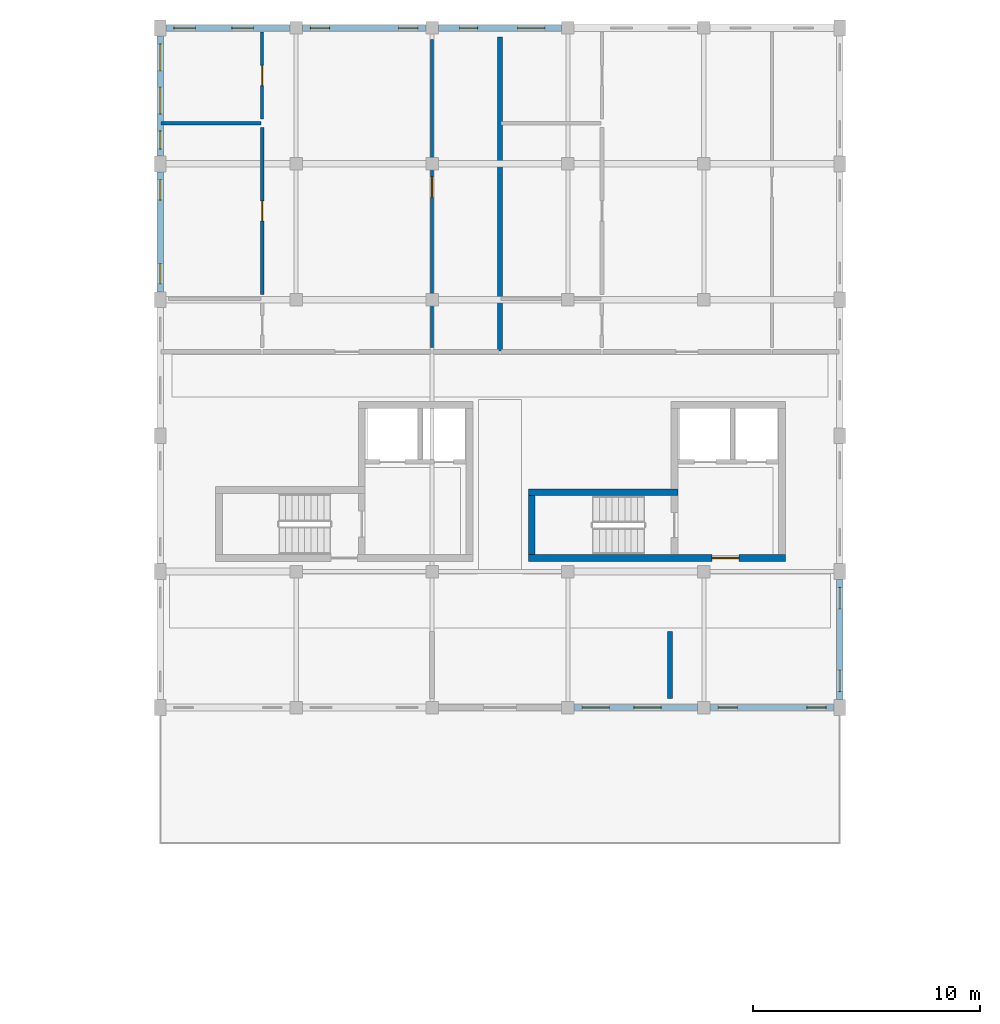
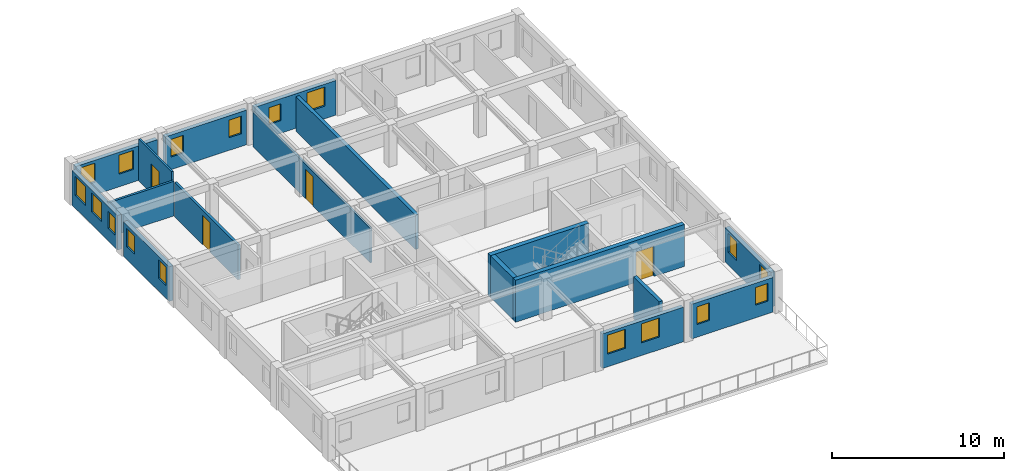
# One storey, part 16 of 28: 17 walls, 17 windows, 4 doors, 21 openings.
"""IFC4 building model written with IfcOpenShell, lengths in metres."""

from ifc_helpers import new_model, si_unit, direction, frame, frame_2d, origin, place, context, subcontext, project, spatial, rectangle, extrude, material, layer, layer_set, type_object, element, fill, save


model = new_model("IFC4")

# Units and contexts
model_context = context("Model", 3, precision=1e-05, world=origin(), true_north=direction((0.0, 1.0)))
body_context = subcontext(model_context, "Body", "Model", "MODEL_VIEW")
ifc_project = project(units=[si_unit("LENGTHUNIT", "METRE"), si_unit("AREAUNIT", "SQUARE_METRE"), si_unit("VOLUMEUNIT", "CUBIC_METRE"), si_unit("PLANEANGLEUNIT", "RADIAN"), si_unit("MASSUNIT", "GRAM", prefix="KILO"), si_unit("POWERUNIT", "WATT"), si_unit("THERMODYNAMICTEMPERATUREUNIT", "KELVIN")], contexts=[model_context])

# Site, building, storey
site_placement = place(None, origin())
site = spatial("IfcSite", under=ifc_project, at=site_placement, CompositionType="ELEMENT")
building_placement = place(site_placement, origin())
building = spatial("IfcBuilding", under=site, at=building_placement, Name="Ruvembo Vaulted Housing Court", CompositionType="ELEMENT")
storey_placement = place(building_placement, frame((0.0, 0.0, 23.699951171875)))
storey = spatial("IfcBuildingStorey", under=building, at=storey_placement, Name="L07", CompositionType="ELEMENT", Elevation=23.699951171875)

# Wall, opening, door
ifc_material_1 = material(Name="Concrete C35/45", Category="concrete")
ifc_layer_1 = layer(ifc_material_1, 0.300048828125, Name="Concrete C35/45")
ifc_layer_set_1 = layer_set([ifc_layer_1], Name="Concrete C35/45")
wall_type_1 = type_object("IfcWallType", Name="WL-CORE-300", PredefinedType="SHEAR", material=ifc_layer_set_1)
wall_1_placement = place(storey_placement, frame((64.25, 90.60009765625, 0.0), z_axis=(0.0, 0.0, 1.0), x_axis=(1.0, 0.0, 0.0)))
wall_1 = element("IfcWall", 1, at=wall_1_placement, inside=storey, type_object=wall_type_1, Name="Core B2 L07 South Shear Wall", PredefinedType="SHEAR", context=body_context, shape_type="SweptSolid", body=[
    extrude(rectangle(XDim=11.35009765625, YDim=0.300048828125, at=frame_2d((5.675048828125, 0.0))), origin(), (0.0, 0.0, 1.0), 2.97509765625),
])
opening_1_placement = place(wall_1_placement, frame((8.10009765625, 0.0, 0.0)))
opening_1 = element("IfcOpeningElement", 2, at=opening_1_placement, cuts=wall_1, Name="Opening LD3", PredefinedType="OPENING", context=body_context, shape_type="SweptSolid", body=[
    extrude(rectangle(XDim=1.199951171875, YDim=2.14990234375, at=frame_2d((0.60009765625, 1.074951171875))), frame((0.0, 0.159912109375, 0.0), z_axis=(0.0, -1.0, 0.0), x_axis=(1.0, 0.0, 0.0)), (0.0, 0.0, 1.0), 0.320068359375),
])
ifc_material_2 = material(Name="Galvanised Painted Steel", Category="steel")
door_type_1 = type_object("IfcDoorType", Name="DR-LOB-1200x2150", OperationType="NOTDEFINED", PredefinedType="DOOR", material=ifc_material_2)
door_1_placement = place(opening_1_placement, origin())
door_1 = element("IfcDoor", 3, at=door_1_placement, inside=storey, type_object=door_type_1, Name="Core B2 L07 Lobby Fire Door", OperationType="SINGLE_SWING_RIGHT", OverallHeight=2.14990234375, OverallWidth=1.199951171875, PredefinedType="DOOR", context=body_context, shape_type="SweptSolid", body=[
    extrude(rectangle(XDim=1.199951171875, YDim=2.14990234375, at=frame_2d((0.60009765625, 1.074951171875))), frame((0.0, 0.02490234375, 0.0), z_axis=(0.0, -1.0, 0.0), x_axis=(1.0, 0.0, 0.0)), (0.0, 0.0, 1.0), 0.050048828125),
])
fill(opening_1, door_1)

# Walls
wall_2_placement = place(storey_placement, frame((70.85009765625, 93.5, 0.0), z_axis=(0.0, 0.0, 1.0), x_axis=(-1.0, 0.0, 0.0)))
element("IfcWall", 4, at=wall_2_placement, inside=storey, type_object=wall_type_1, Name="Core B2 L07 Stair North Shear Wall", PredefinedType="SHEAR", context=body_context, shape_type="SweptSolid", body=[
    extrude(rectangle(XDim=6.60009765625, YDim=0.300048828125, at=frame_2d((3.300048828125, 0.0))), origin(), (0.0, 0.0, 1.0), 2.97509765625),
])
wall_3_placement = place(storey_placement, frame((64.39990234375, 93.35009765625, 0.0), z_axis=(0.0, 0.0, 1.0), x_axis=(0.0, -1.0, 0.0)))
element("IfcWall", 5, at=wall_3_placement, inside=storey, type_object=wall_type_1, Name="Core B2 L07 Stair West Shear Wall", PredefinedType="SHEAR", context=body_context, shape_type="SweptSolid", body=[
    extrude(rectangle(XDim=2.60009765625, YDim=0.300048828125, at=frame_2d((1.300048828125, 0.0))), origin(), (0.0, 0.0, 1.0), 2.97509765625),
])
ifc_material_3 = material(Name="Acoustic Masonry Demising 230", Category="masonry")
ifc_layer_2 = layer(ifc_material_3, 0.22998046875, Name="Acoustic Masonry Demising 230")
ifc_layer_set_2 = layer_set([ifc_layer_2], Name="Acoustic Masonry Demising 230")
wall_type_2 = type_object("IfcWallType", Name="WL-DEM-230", PredefinedType="SOLIDWALL", material=ifc_layer_set_2)
wall_4_placement = place(storey_placement, frame((70.5, 84.389892578125, 0.0), z_axis=(0.0, 0.0, 1.0), x_axis=(0.0, 1.0, 0.0)))
element("IfcWall", 6, at=wall_4_placement, inside=storey, type_object=wall_type_2, Name="L07 Demising B-L07-S2 WL-INT-L07-01909", PredefinedType="SOLIDWALL", context=body_context, shape_type="SweptSolid", body=[
    extrude(rectangle(XDim=2.97021484375, YDim=0.22998046875, at=frame_2d((1.485107421875, 0.0))), origin(), (0.0, 0.0, 1.0), 2.97509765625),
])
wall_5_placement = place(storey_placement, frame((63.0, 99.739990234375, 0.0), z_axis=(0.0, 0.0, 1.0), x_axis=(0.0, 1.0, 0.0)))
element("IfcWall", 7, at=wall_5_placement, inside=storey, type_object=wall_type_2, Name="L07 Demising B-L07-N1 WL-INT-L07-01910", PredefinedType="SOLIDWALL", context=body_context, shape_type="SweptSolid", body=[
    extrude(rectangle(XDim=13.8701171875, YDim=0.22998046875, at=frame_2d((6.93505859375, 0.0))), origin(), (0.0, 0.0, 1.0), 2.45703125),
])

# Wall, openings, windows
ifc_material_4 = material(Name="Rendered Masonry 270", Category="masonry")
ifc_layer_3 = layer(ifc_material_4, 0.27001953125, Name="Rendered Masonry 270")
ifc_layer_set_3 = layer_set([ifc_layer_3], Name="Rendered Masonry 270")
wall_type_3 = type_object("IfcWallType", Name="WL-EXT-270", PredefinedType="STANDARD", material=ifc_layer_set_3)
wall_6_placement = place(storey_placement, frame((66.27490234375, 84.0, 0.0), z_axis=(0.0, 0.0, 1.0), x_axis=(1.0, 0.0, 0.0)))
wall_6 = element("IfcWall", 8, at=wall_6_placement, inside=storey, type_object=wall_type_3, Name="Block B L07 Exterior Wall COURTYARD #4", PredefinedType="STANDARD", context=body_context, shape_type="SweptSolid", body=[
    extrude(rectangle(XDim=5.4501953125, YDim=0.27001953125, at=frame_2d((2.72509765625, 0.0))), origin(), (0.0, 0.0, 1.0), 2.45703125),
])
opening_2_placement = place(wall_6_placement, frame((0.35009765625, 0.0, 0.89990234375)))
opening_2 = element("IfcOpeningElement", 9, at=opening_2_placement, cuts=wall_6, Name="Opening W12", PredefinedType="OPENING", context=body_context, shape_type="SweptSolid", body=[
    extrude(rectangle(XDim=1.199951171875, YDim=1.35009765625, at=frame_2d((0.60009765625, 0.675048828125))), frame((0.0, 0.14501953125, 0.0), z_axis=(0.0, -1.0, 0.0), x_axis=(1.0, 0.0, 0.0)), (0.0, 0.0, 1.0), 0.2900390625),
])
opening_3_placement = place(wall_6_placement, frame((2.635009765625, 0.0, 0.89990234375)))
opening_3 = element("IfcOpeningElement", 10, at=opening_3_placement, cuts=wall_6, Name="Opening W12", PredefinedType="OPENING", context=body_context, shape_type="SweptSolid", body=[
    extrude(rectangle(XDim=1.199951171875, YDim=1.35009765625, at=frame_2d((0.60009765625, 0.675048828125))), frame((0.0, 0.14501953125, 0.0), z_axis=(0.0, -1.0, 0.0), x_axis=(1.0, 0.0, 0.0)), (0.0, 0.0, 1.0), 0.2900390625),
])
ifc_material_5 = material(Name="Double Solar-Control Glazing in Aluminium Frame", Category="aluminium")
window_type_1 = type_object("IfcWindowType", Name="WIN-1200x1350", PartitioningType="SINGLE_PANEL", PredefinedType="WINDOW", material=ifc_material_5)
window_1_placement = place(opening_2_placement, origin())
window_1 = element("IfcWindow", 11, at=window_1_placement, inside=storey, type_object=window_type_1, Name="Block B L07 Window #911", OverallHeight=1.35009765625, OverallWidth=1.199951171875, PartitioningType="SINGLE_PANEL", PredefinedType="WINDOW", context=body_context, shape_type="SweptSolid", body=[
    extrude(rectangle(XDim=1.199951171875, YDim=1.35009765625, at=frame_2d((0.60009765625, 0.675048828125))), frame((0.0, 0.030029296875, 0.0), z_axis=(0.0, -1.0, 0.0), x_axis=(1.0, 0.0, 0.0)), (0.0, 0.0, 1.0), 0.06005859375),
])
fill(opening_2, window_1)
window_2_placement = place(opening_3_placement, origin())
window_2 = element("IfcWindow", 12, at=window_2_placement, inside=storey, type_object=window_type_1, Name="Block B L07 Window #912", OverallHeight=1.35009765625, OverallWidth=1.199951171875, PartitioningType="SINGLE_PANEL", PredefinedType="WINDOW", context=body_context, shape_type="SweptSolid", body=[
    extrude(rectangle(XDim=1.199951171875, YDim=1.35009765625, at=frame_2d((0.60009765625, 0.675048828125))), frame((0.0, 0.030029296875, 0.0), z_axis=(0.0, -1.0, 0.0), x_axis=(1.0, 0.0, 0.0)), (0.0, 0.0, 1.0), 0.06005859375),
])
fill(opening_3, window_2)

wall_7_placement = place(storey_placement, frame((72.27490234375, 84.0, 0.0), z_axis=(0.0, 0.0, 1.0), x_axis=(1.0, 0.0, 0.0)))
wall_7 = element("IfcWall", 13, at=wall_7_placement, inside=storey, type_object=wall_type_3, Name="Block B L07 Exterior Wall COURTYARD #5", PredefinedType="STANDARD", context=body_context, shape_type="SweptSolid", body=[
    extrude(rectangle(XDim=5.47509765625, YDim=0.27001953125, at=frame_2d((2.737548828125, 0.0))), origin(), (0.0, 0.0, 1.0), 2.45703125),
])
opening_4_placement = place(wall_7_placement, frame((0.35009765625, 0.0, 0.89990234375)))
opening_4 = element("IfcOpeningElement", 14, at=opening_4_placement, cuts=wall_7, Name="Opening W03", PredefinedType="OPENING", context=body_context, shape_type="SweptSolid", body=[
    extrude(rectangle(XDim=0.85009765625, YDim=1.25, at=frame_2d((0.425048828125, 0.625))), frame((0.0, 0.14501953125, 0.0), z_axis=(0.0, -1.0, 0.0), x_axis=(1.0, 0.0, 0.0)), (0.0, 0.0, 1.0), 0.2900390625),
])
opening_5_placement = place(wall_7_placement, frame((4.27490234375, 0.0, 0.89990234375)))
opening_5 = element("IfcOpeningElement", 15, at=opening_5_placement, cuts=wall_7, Name="Opening W03", PredefinedType="OPENING", context=body_context, shape_type="SweptSolid", body=[
    extrude(rectangle(XDim=0.85009765625, YDim=1.25, at=frame_2d((0.425048828125, 0.625))), frame((0.0, 0.14501953125, 0.0), z_axis=(0.0, -1.0, 0.0), x_axis=(1.0, 0.0, 0.0)), (0.0, 0.0, 1.0), 0.2900390625),
])
window_type_2 = type_object("IfcWindowType", Name="WIN-0850x1250", PartitioningType="SINGLE_PANEL", PredefinedType="WINDOW", material=ifc_material_5)
window_3_placement = place(opening_4_placement, origin())
window_3 = element("IfcWindow", 16, at=window_3_placement, inside=storey, type_object=window_type_2, Name="Block B L07 Window #913", OverallHeight=1.25, OverallWidth=0.85009765625, PartitioningType="SINGLE_PANEL", PredefinedType="WINDOW", context=body_context, shape_type="SweptSolid", body=[
    extrude(rectangle(XDim=0.85009765625, YDim=1.25, at=frame_2d((0.425048828125, 0.625))), frame((0.0, 0.030029296875, 0.0), z_axis=(0.0, -1.0, 0.0), x_axis=(1.0, 0.0, 0.0)), (0.0, 0.0, 1.0), 0.06005859375),
])
fill(opening_4, window_3)
window_4_placement = place(opening_5_placement, origin())
window_4 = element("IfcWindow", 17, at=window_4_placement, inside=storey, type_object=window_type_2, Name="Block B L07 Window #914", OverallHeight=1.25, OverallWidth=0.85009765625, PartitioningType="SINGLE_PANEL", PredefinedType="WINDOW", context=body_context, shape_type="SweptSolid", body=[
    extrude(rectangle(XDim=0.85009765625, YDim=1.25, at=frame_2d((0.425048828125, 0.625))), frame((0.0, 0.030029296875, 0.0), z_axis=(0.0, -1.0, 0.0), x_axis=(1.0, 0.0, 0.0)), (0.0, 0.0, 1.0), 0.06005859375),
])
fill(opening_5, window_4)

wall_8_placement = place(storey_placement, frame((78.0, 84.35009765625, 0.0), z_axis=(0.0, 0.0, 1.0), x_axis=(0.0, 1.0, 0.0)))
wall_8 = element("IfcWall", 18, at=wall_8_placement, inside=storey, type_object=wall_type_3, Name="Block B L07 Exterior Wall EAST #1", PredefinedType="STANDARD", context=body_context, shape_type="SweptSolid", body=[
    extrude(rectangle(XDim=5.2998046875, YDim=0.27001953125, at=frame_2d((2.64990234375, 0.0))), origin(), (0.0, 0.0, 1.0), 2.45703125),
])
opening_6_placement = place(wall_8_placement, frame((0.35009765625, 0.0, 0.89990234375)))
opening_6 = element("IfcOpeningElement", 19, at=opening_6_placement, cuts=wall_8, Name="Opening W07", PredefinedType="OPENING", context=body_context, shape_type="SweptSolid", body=[
    extrude(rectangle(XDim=0.949951171875, YDim=1.35009765625, at=frame_2d((0.47509765625, 0.675048828125))), frame((0.0, 0.14501953125, 0.0), z_axis=(0.0, -1.0, 0.0), x_axis=(1.0, 0.0, 0.0)), (0.0, 0.0, 1.0), 0.2900390625),
])
opening_7_placement = place(wall_8_placement, frame((4.0, 0.0, 0.89990234375)))
opening_7 = element("IfcOpeningElement", 20, at=opening_7_placement, cuts=wall_8, Name="Opening W07", PredefinedType="OPENING", context=body_context, shape_type="SweptSolid", body=[
    extrude(rectangle(XDim=0.949951171875, YDim=1.35009765625, at=frame_2d((0.47509765625, 0.675048828125))), frame((0.0, 0.14501953125, 0.0), z_axis=(0.0, -1.0, 0.0), x_axis=(1.0, 0.0, 0.0)), (0.0, 0.0, 1.0), 0.2900390625),
])
window_type_3 = type_object("IfcWindowType", Name="WIN-0950x1350", PartitioningType="SINGLE_PANEL", PredefinedType="WINDOW", material=ifc_material_5)
window_5_placement = place(opening_6_placement, origin())
window_5 = element("IfcWindow", 21, at=window_5_placement, inside=storey, type_object=window_type_3, Name="Block B L07 Window #915", OverallHeight=1.35009765625, OverallWidth=0.949951171875, PartitioningType="SINGLE_PANEL", PredefinedType="WINDOW", context=body_context, shape_type="SweptSolid", body=[
    extrude(rectangle(XDim=0.949951171875, YDim=1.35009765625, at=frame_2d((0.47509765625, 0.675048828125))), frame((0.0, 0.030029296875, 0.0), z_axis=(0.0, -1.0, 0.0), x_axis=(1.0, 0.0, 0.0)), (0.0, 0.0, 1.0), 0.06005859375),
])
fill(opening_6, window_5)
window_6_placement = place(opening_7_placement, origin())
window_6 = element("IfcWindow", 22, at=window_6_placement, inside=storey, type_object=window_type_3, Name="Block B L07 Window #916", OverallHeight=1.35009765625, OverallWidth=0.949951171875, PartitioningType="SINGLE_PANEL", PredefinedType="WINDOW", context=body_context, shape_type="SweptSolid", body=[
    extrude(rectangle(XDim=0.949951171875, YDim=1.35009765625, at=frame_2d((0.47509765625, 0.675048828125))), frame((0.0, 0.030029296875, 0.0), z_axis=(0.0, -1.0, 0.0), x_axis=(1.0, 0.0, 0.0)), (0.0, 0.0, 1.0), 0.06005859375),
])
fill(opening_7, window_6)

wall_9_placement = place(storey_placement, frame((65.72509765625, 114.0, 0.0), z_axis=(0.0, 0.0, 1.0), x_axis=(-1.0, 0.0, 0.0)))
wall_9 = element("IfcWall", 23, at=wall_9_placement, inside=storey, type_object=wall_type_3, Name="Block B L07 Exterior Wall STREET #3", PredefinedType="STANDARD", context=body_context, shape_type="SweptSolid", body=[
    extrude(rectangle(XDim=5.4501953125, YDim=0.27001953125, at=frame_2d((2.72509765625, 0.0))), origin(), (0.0, 0.0, 1.0), 2.45703125),
])
opening_8_placement = place(wall_9_placement, frame((0.742431640625, 0.0, 0.89990234375)))
opening_8 = element("IfcOpeningElement", 24, at=opening_8_placement, cuts=wall_9, Name="Opening W12", PredefinedType="OPENING", context=body_context, shape_type="SweptSolid", body=[
    extrude(rectangle(XDim=1.199951171875, YDim=1.35009765625, at=frame_2d((0.60009765625, 0.675048828125))), frame((0.0, 0.14501953125, 0.0), z_axis=(0.0, -1.0, 0.0), x_axis=(1.0, 0.0, 0.0)), (0.0, 0.0, 1.0), 0.2900390625),
])
opening_9_placement = place(wall_9_placement, frame((3.70751953125, 0.0, 0.89990234375)))
opening_9 = element("IfcOpeningElement", 25, at=opening_9_placement, cuts=wall_9, Name="Opening W02", PredefinedType="OPENING", context=body_context, shape_type="SweptSolid", body=[
    extrude(rectangle(XDim=0.800048828125, YDim=1.199951171875, at=frame_2d((0.39990234375, 0.60009765625))), frame((0.0, 0.14501953125, 0.0), z_axis=(0.0, -1.0, 0.0), x_axis=(1.0, 0.0, 0.0)), (0.0, 0.0, 1.0), 0.2900390625),
])
window_type_4 = type_object("IfcWindowType", Name="WIN-0800x1200", PartitioningType="SINGLE_PANEL", PredefinedType="WINDOW", material=ifc_material_5)
window_7_placement = place(opening_9_placement, origin())
window_7 = element("IfcWindow", 26, at=window_7_placement, inside=storey, type_object=window_type_4, Name="Block B L07 Window #930", OverallHeight=1.199951171875, OverallWidth=0.800048828125, PartitioningType="SINGLE_PANEL", PredefinedType="WINDOW", context=body_context, shape_type="SweptSolid", body=[
    extrude(rectangle(XDim=0.800048828125, YDim=1.199951171875, at=frame_2d((0.39990234375, 0.60009765625))), frame((0.0, 0.030029296875, 0.0), z_axis=(0.0, -1.0, 0.0), x_axis=(1.0, 0.0, 0.0)), (0.0, 0.0, 1.0), 0.06005859375),
])
fill(opening_9, window_7)
window_8_placement = place(opening_8_placement, origin())
window_8 = element("IfcWindow", 27, at=window_8_placement, inside=storey, type_object=window_type_1, Name="Block B L07 Window #929", OverallHeight=1.35009765625, OverallWidth=1.199951171875, PartitioningType="SINGLE_PANEL", PredefinedType="WINDOW", context=body_context, shape_type="SweptSolid", body=[
    extrude(rectangle(XDim=1.199951171875, YDim=1.35009765625, at=frame_2d((0.60009765625, 0.675048828125))), frame((0.0, 0.030029296875, 0.0), z_axis=(0.0, -1.0, 0.0), x_axis=(1.0, 0.0, 0.0)), (0.0, 0.0, 1.0), 0.06005859375),
])
fill(opening_8, window_8)

wall_10_placement = place(storey_placement, frame((59.72509765625, 114.0, 0.0), z_axis=(0.0, 0.0, 1.0), x_axis=(-1.0, 0.0, 0.0)))
wall_10 = element("IfcWall", 28, at=wall_10_placement, inside=storey, type_object=wall_type_3, Name="Block B L07 Exterior Wall STREET #4", PredefinedType="STANDARD", context=body_context, shape_type="SweptSolid", body=[
    extrude(rectangle(XDim=5.4501953125, YDim=0.27001953125, at=frame_2d((2.72509765625, 0.0))), origin(), (0.0, 0.0, 1.0), 2.45703125),
])
opening_10_placement = place(wall_10_placement, frame((0.35009765625, 0.0, 0.89990234375)))
opening_10 = element("IfcOpeningElement", 29, at=opening_10_placement, cuts=wall_10, Name="Opening W03", PredefinedType="OPENING", context=body_context, shape_type="SweptSolid", body=[
    extrude(rectangle(XDim=0.85009765625, YDim=1.25, at=frame_2d((0.425048828125, 0.625))), frame((0.0, 0.14501953125, 0.0), z_axis=(0.0, -1.0, 0.0), x_axis=(1.0, 0.0, 0.0)), (0.0, 0.0, 1.0), 0.2900390625),
])
opening_11_placement = place(wall_10_placement, frame((4.25, 0.0, 0.89990234375)))
opening_11 = element("IfcOpeningElement", 30, at=opening_11_placement, cuts=wall_10, Name="Opening W03", PredefinedType="OPENING", context=body_context, shape_type="SweptSolid", body=[
    extrude(rectangle(XDim=0.85009765625, YDim=1.25, at=frame_2d((0.425048828125, 0.625))), frame((0.0, 0.14501953125, 0.0), z_axis=(0.0, -1.0, 0.0), x_axis=(1.0, 0.0, 0.0)), (0.0, 0.0, 1.0), 0.2900390625),
])
window_9_placement = place(opening_10_placement, origin())
window_9 = element("IfcWindow", 31, at=window_9_placement, inside=storey, type_object=window_type_2, Name="Block B L07 Window #931", OverallHeight=1.25, OverallWidth=0.85009765625, PartitioningType="SINGLE_PANEL", PredefinedType="WINDOW", context=body_context, shape_type="SweptSolid", body=[
    extrude(rectangle(XDim=0.85009765625, YDim=1.25, at=frame_2d((0.425048828125, 0.625))), frame((0.0, 0.030029296875, 0.0), z_axis=(0.0, -1.0, 0.0), x_axis=(1.0, 0.0, 0.0)), (0.0, 0.0, 1.0), 0.06005859375),
])
fill(opening_10, window_9)
window_10_placement = place(opening_11_placement, origin())
window_10 = element("IfcWindow", 32, at=window_10_placement, inside=storey, type_object=window_type_2, Name="Block B L07 Window #932", OverallHeight=1.25, OverallWidth=0.85009765625, PartitioningType="SINGLE_PANEL", PredefinedType="WINDOW", context=body_context, shape_type="SweptSolid", body=[
    extrude(rectangle(XDim=0.85009765625, YDim=1.25, at=frame_2d((0.425048828125, 0.625))), frame((0.0, 0.030029296875, 0.0), z_axis=(0.0, -1.0, 0.0), x_axis=(1.0, 0.0, 0.0)), (0.0, 0.0, 1.0), 0.06005859375),
])
fill(opening_11, window_10)

wall_11_placement = place(storey_placement, frame((53.72509765625, 114.0, 0.0), z_axis=(0.0, 0.0, 1.0), x_axis=(-1.0, 0.0, 0.0)))
wall_11 = element("IfcWall", 33, at=wall_11_placement, inside=storey, type_object=wall_type_3, Name="Block B L07 Exterior Wall STREET #5", PredefinedType="STANDARD", context=body_context, shape_type="SweptSolid", body=[
    extrude(rectangle(XDim=5.47509765625, YDim=0.27001953125, at=frame_2d((2.737548828125, 0.0))), origin(), (0.0, 0.0, 1.0), 2.45703125),
])
opening_12_placement = place(wall_11_placement, frame((1.614990234375, 0.0, 0.89990234375)))
opening_12 = element("IfcOpeningElement", 34, at=opening_12_placement, cuts=wall_11, Name="Opening W07", PredefinedType="OPENING", context=body_context, shape_type="SweptSolid", body=[
    extrude(rectangle(XDim=0.949951171875, YDim=1.35009765625, at=frame_2d((0.47509765625, 0.675048828125))), frame((0.0, 0.14501953125, 0.0), z_axis=(0.0, -1.0, 0.0), x_axis=(1.0, 0.0, 0.0)), (0.0, 0.0, 1.0), 0.2900390625),
])
opening_13_placement = place(wall_11_placement, frame((4.175048828125, 0.0, 0.89990234375)))
opening_13 = element("IfcOpeningElement", 35, at=opening_13_placement, cuts=wall_11, Name="Opening W07", PredefinedType="OPENING", context=body_context, shape_type="SweptSolid", body=[
    extrude(rectangle(XDim=0.949951171875, YDim=1.35009765625, at=frame_2d((0.47509765625, 0.675048828125))), frame((0.0, 0.14501953125, 0.0), z_axis=(0.0, -1.0, 0.0), x_axis=(1.0, 0.0, 0.0)), (0.0, 0.0, 1.0), 0.2900390625),
])
window_11_placement = place(opening_12_placement, origin())
window_11 = element("IfcWindow", 36, at=window_11_placement, inside=storey, type_object=window_type_3, Name="Block B L07 Window #933", OverallHeight=1.35009765625, OverallWidth=0.949951171875, PartitioningType="SINGLE_PANEL", PredefinedType="WINDOW", context=body_context, shape_type="SweptSolid", body=[
    extrude(rectangle(XDim=0.949951171875, YDim=1.35009765625, at=frame_2d((0.47509765625, 0.675048828125))), frame((0.0, 0.030029296875, 0.0), z_axis=(0.0, -1.0, 0.0), x_axis=(1.0, 0.0, 0.0)), (0.0, 0.0, 1.0), 0.06005859375),
])
fill(opening_12, window_11)
window_12_placement = place(opening_13_placement, origin())
window_12 = element("IfcWindow", 37, at=window_12_placement, inside=storey, type_object=window_type_3, Name="Block B L07 Window #934", OverallHeight=1.35009765625, OverallWidth=0.949951171875, PartitioningType="SINGLE_PANEL", PredefinedType="WINDOW", context=body_context, shape_type="SweptSolid", body=[
    extrude(rectangle(XDim=0.949951171875, YDim=1.35009765625, at=frame_2d((0.47509765625, 0.675048828125))), frame((0.0, 0.030029296875, 0.0), z_axis=(0.0, -1.0, 0.0), x_axis=(1.0, 0.0, 0.0)), (0.0, 0.0, 1.0), 0.06005859375),
])
fill(opening_13, window_12)

wall_12_placement = place(storey_placement, frame((48.0, 113.64990234375, 0.0), z_axis=(0.0, 0.0, 1.0), x_axis=(0.0, -1.0, 0.0)))
wall_12 = element("IfcWall", 38, at=wall_12_placement, inside=storey, type_object=wall_type_3, Name="Block B L07 Exterior Wall WEST #1", PredefinedType="STANDARD", context=body_context, shape_type="SweptSolid", body=[
    extrude(rectangle(XDim=5.2998046875, YDim=0.27001953125, at=frame_2d((2.64990234375, 0.0))), origin(), (0.0, 0.0, 1.0), 2.45703125),
])
opening_14_placement = place(wall_12_placement, frame((0.35009765625, 0.0, 0.89990234375)))
opening_14 = element("IfcOpeningElement", 39, at=opening_14_placement, cuts=wall_12, Name="Opening W12", PredefinedType="OPENING", context=body_context, shape_type="SweptSolid", body=[
    extrude(rectangle(XDim=1.199951171875, YDim=1.35009765625, at=frame_2d((0.60009765625, 0.675048828125))), frame((0.0, 0.14501953125, 0.0), z_axis=(0.0, -1.0, 0.0), x_axis=(1.0, 0.0, 0.0)), (0.0, 0.0, 1.0), 0.2900390625),
])
opening_15_placement = place(wall_12_placement, frame((2.260009765625, 0.0, 0.89990234375)))
opening_15 = element("IfcOpeningElement", 40, at=opening_15_placement, cuts=wall_12, Name="Opening W12", PredefinedType="OPENING", context=body_context, shape_type="SweptSolid", body=[
    extrude(rectangle(XDim=1.199951171875, YDim=1.35009765625, at=frame_2d((0.60009765625, 0.675048828125))), frame((0.0, 0.14501953125, 0.0), z_axis=(0.0, -1.0, 0.0), x_axis=(1.0, 0.0, 0.0)), (0.0, 0.0, 1.0), 0.2900390625),
])
opening_16_placement = place(wall_12_placement, frame((4.195068359375, 0.0, 0.89990234375)))
opening_16 = element("IfcOpeningElement", 41, at=opening_16_placement, cuts=wall_12, Name="Opening W02", PredefinedType="OPENING", context=body_context, shape_type="SweptSolid", body=[
    extrude(rectangle(XDim=0.800048828125, YDim=1.199951171875, at=frame_2d((0.39990234375, 0.60009765625))), frame((0.0, 0.14501953125, 0.0), z_axis=(0.0, -1.0, 0.0), x_axis=(1.0, 0.0, 0.0)), (0.0, 0.0, 1.0), 0.2900390625),
])
window_13_placement = place(opening_16_placement, origin())
window_13 = element("IfcWindow", 42, at=window_13_placement, inside=storey, type_object=window_type_4, Name="Block B L07 Window #937", OverallHeight=1.199951171875, OverallWidth=0.800048828125, PartitioningType="SINGLE_PANEL", PredefinedType="WINDOW", context=body_context, shape_type="SweptSolid", body=[
    extrude(rectangle(XDim=0.800048828125, YDim=1.199951171875, at=frame_2d((0.39990234375, 0.60009765625))), frame((0.0, 0.030029296875, 0.0), z_axis=(0.0, -1.0, 0.0), x_axis=(1.0, 0.0, 0.0)), (0.0, 0.0, 1.0), 0.06005859375),
])
fill(opening_16, window_13)
window_14_placement = place(opening_14_placement, origin())
window_14 = element("IfcWindow", 43, at=window_14_placement, inside=storey, type_object=window_type_1, Name="Block B L07 Window #935", OverallHeight=1.35009765625, OverallWidth=1.199951171875, PartitioningType="SINGLE_PANEL", PredefinedType="WINDOW", context=body_context, shape_type="SweptSolid", body=[
    extrude(rectangle(XDim=1.199951171875, YDim=1.35009765625, at=frame_2d((0.60009765625, 0.675048828125))), frame((0.0, 0.030029296875, 0.0), z_axis=(0.0, -1.0, 0.0), x_axis=(1.0, 0.0, 0.0)), (0.0, 0.0, 1.0), 0.06005859375),
])
fill(opening_14, window_14)
window_15_placement = place(opening_15_placement, origin())
window_15 = element("IfcWindow", 44, at=window_15_placement, inside=storey, type_object=window_type_1, Name="Block B L07 Window #936", OverallHeight=1.35009765625, OverallWidth=1.199951171875, PartitioningType="SINGLE_PANEL", PredefinedType="WINDOW", context=body_context, shape_type="SweptSolid", body=[
    extrude(rectangle(XDim=1.199951171875, YDim=1.35009765625, at=frame_2d((0.60009765625, 0.675048828125))), frame((0.0, 0.030029296875, 0.0), z_axis=(0.0, -1.0, 0.0), x_axis=(1.0, 0.0, 0.0)), (0.0, 0.0, 1.0), 0.06005859375),
])
fill(opening_15, window_15)

wall_13_placement = place(storey_placement, frame((48.0, 107.64990234375, 0.0), z_axis=(0.0, 0.0, 1.0), x_axis=(0.0, -1.0, 0.0)))
wall_13 = element("IfcWall", 45, at=wall_13_placement, inside=storey, type_object=wall_type_3, Name="Block B L07 Exterior Wall WEST #2", PredefinedType="STANDARD", context=body_context, shape_type="SweptSolid", body=[
    extrude(rectangle(XDim=5.2998046875, YDim=0.27001953125, at=frame_2d((2.64990234375, 0.0))), origin(), (0.0, 0.0, 1.0), 2.45703125),
])
opening_17_placement = place(wall_13_placement, frame((0.35009765625, 0.0, 0.89990234375)))
opening_17 = element("IfcOpeningElement", 46, at=opening_17_placement, cuts=wall_13, Name="Opening W04", PredefinedType="OPENING", context=body_context, shape_type="SweptSolid", body=[
    extrude(rectangle(XDim=0.89990234375, YDim=1.300048828125, at=frame_2d((0.449951171875, 0.64990234375))), frame((0.0, 0.14501953125, 0.0), z_axis=(0.0, -1.0, 0.0), x_axis=(1.0, 0.0, 0.0)), (0.0, 0.0, 1.0), 0.2900390625),
])
opening_18_placement = place(wall_13_placement, frame((4.050048828125, 0.0, 0.89990234375)))
opening_18 = element("IfcOpeningElement", 47, at=opening_18_placement, cuts=wall_13, Name="Opening W04", PredefinedType="OPENING", context=body_context, shape_type="SweptSolid", body=[
    extrude(rectangle(XDim=0.89990234375, YDim=1.300048828125, at=frame_2d((0.449951171875, 0.64990234375))), frame((0.0, 0.14501953125, 0.0), z_axis=(0.0, -1.0, 0.0), x_axis=(1.0, 0.0, 0.0)), (0.0, 0.0, 1.0), 0.2900390625),
])
window_type_5 = type_object("IfcWindowType", Name="WIN-0900x1300", PartitioningType="SINGLE_PANEL", PredefinedType="WINDOW", material=ifc_material_5)
window_16_placement = place(opening_17_placement, origin())
window_16 = element("IfcWindow", 48, at=window_16_placement, inside=storey, type_object=window_type_5, Name="Block B L07 Window #938", OverallHeight=1.300048828125, OverallWidth=0.89990234375, PartitioningType="SINGLE_PANEL", PredefinedType="WINDOW", context=body_context, shape_type="SweptSolid", body=[
    extrude(rectangle(XDim=0.89990234375, YDim=1.300048828125, at=frame_2d((0.449951171875, 0.64990234375))), frame((0.0, 0.030029296875, 0.0), z_axis=(0.0, -1.0, 0.0), x_axis=(1.0, 0.0, 0.0)), (0.0, 0.0, 1.0), 0.06005859375),
])
fill(opening_17, window_16)
window_17_placement = place(opening_18_placement, origin())
window_17 = element("IfcWindow", 49, at=window_17_placement, inside=storey, type_object=window_type_5, Name="Block B L07 Window #939", OverallHeight=1.300048828125, OverallWidth=0.89990234375, PartitioningType="SINGLE_PANEL", PredefinedType="WINDOW", context=body_context, shape_type="SweptSolid", body=[
    extrude(rectangle(XDim=0.89990234375, YDim=1.300048828125, at=frame_2d((0.449951171875, 0.64990234375))), frame((0.0, 0.030029296875, 0.0), z_axis=(0.0, -1.0, 0.0), x_axis=(1.0, 0.0, 0.0)), (0.0, 0.0, 1.0), 0.06005859375),
])
fill(opening_18, window_17)

# Wall, opening, door
ifc_material_6 = material(Name="Plasterboard Stud Partition 125", Category="gypsum")
ifc_layer_4 = layer(ifc_material_6, 0.125, Name="Plasterboard Stud Partition 125")
ifc_layer_set_4 = layer_set([ifc_layer_4], Name="Plasterboard Stud Partition 125")
wall_type_4 = type_object("IfcWallType", Name="WL-PART-125", PredefinedType="PARTITIONING", material=ifc_layer_set_4)
wall_14_placement = place(storey_placement, frame((52.5, 109.989990234375, 0.0), z_axis=(0.0, 0.0, 1.0), x_axis=(0.0, 1.0, 0.0)))
wall_14 = element("IfcWall", 50, at=wall_14_placement, inside=storey, type_object=wall_type_4, Name="L07 Flat B-L07-N1 Bedroom 1 WL-INT-L07-01913", PredefinedType="PARTITIONING", context=body_context, shape_type="SweptSolid", body=[
    extrude(rectangle(XDim=3.820068359375, YDim=0.125, at=frame_2d((1.91015625, 0.0))), origin(), (0.0, 0.0, 1.0), 2.97509765625),
])
opening_19_placement = place(wall_14_placement, frame((1.4599609375, 0.0, 0.0)))
opening_19 = element("IfcOpeningElement", 51, at=opening_19_placement, cuts=wall_14, Name="Opening ID1", PredefinedType="OPENING", context=body_context, shape_type="SweptSolid", body=[
    extrude(rectangle(XDim=0.89990234375, YDim=2.10009765625, at=frame_2d((0.449951171875, 1.050048828125))), frame((0.0, 0.072509765625, 0.0), z_axis=(0.0, -1.0, 0.0), x_axis=(1.0, 0.0, 0.0)), (0.0, 0.0, 1.0), 0.14501953125),
])
ifc_material_7 = material(Name="FSC Hardwood and Engineered Timber", Category="wood")
door_type_2 = type_object("IfcDoorType", Name="DR-ROOM-0900x2100", OperationType="NOTDEFINED", PredefinedType="DOOR", material=ifc_material_7)
door_2_placement = place(opening_19_placement, origin())
door_2 = element("IfcDoor", 52, at=door_2_placement, inside=storey, type_object=door_type_2, Name="L07 Flat B-L07-N1 Bedroom 1 Door DR-INT-L07-01074", OperationType="SINGLE_SWING_RIGHT", OverallHeight=2.10009765625, OverallWidth=0.89990234375, PredefinedType="DOOR", context=body_context, shape_type="SweptSolid", body=[
    extrude(rectangle(XDim=0.89990234375, YDim=2.10009765625, at=frame_2d((0.449951171875, 1.050048828125))), frame((0.0, 0.02490234375, 0.0), z_axis=(0.0, -1.0, 0.0), x_axis=(1.0, 0.0, 0.0)), (0.0, 0.0, 1.0), 0.050048828125),
])
fill(opening_19, door_2)

wall_15_placement = place(storey_placement, frame((60.0, 99.889892578125, 0.0), z_axis=(0.0, 0.0, 1.0), x_axis=(0.0, 1.0, 0.0)))
wall_15 = element("IfcWall", 53, at=wall_15_placement, inside=storey, type_object=wall_type_4, Name="L07 Flat B-L07-N1 Bedroom 2 WL-INT-L07-01919", PredefinedType="PARTITIONING", context=body_context, shape_type="SweptSolid", body=[
    extrude(rectangle(XDim=13.60009765625, YDim=0.125, at=frame_2d((6.800048828125, 0.0))), origin(), (0.0, 0.0, 1.0), 2.4580078125),
])
opening_20_placement = place(wall_15_placement, frame((6.64990234375, 0.0, 0.0)))
opening_20 = element("IfcOpeningElement", 54, at=opening_20_placement, cuts=wall_15, Name="Opening ID3", PredefinedType="OPENING", context=body_context, shape_type="SweptSolid", body=[
    extrude(rectangle(XDim=0.8798828125, YDim=2.10009765625, at=frame_2d((0.43994140625, 1.050048828125))), frame((0.0, 0.072509765625, 0.0), z_axis=(0.0, -1.0, 0.0), x_axis=(1.0, 0.0, 0.0)), (0.0, 0.0, 1.0), 0.14501953125),
])
door_type_3 = type_object("IfcDoorType", Name="DR-ROOM-0880x2100", OperationType="NOTDEFINED", PredefinedType="DOOR", material=ifc_material_7)
door_3_placement = place(opening_20_placement, origin())
door_3 = element("IfcDoor", 55, at=door_3_placement, inside=storey, type_object=door_type_3, Name="L07 Flat B-L07-N1 Bedroom 2 Door DR-INT-L07-01077", OperationType="SINGLE_SWING_LEFT", OverallHeight=2.10009765625, OverallWidth=0.8798828125, PredefinedType="DOOR", context=body_context, shape_type="SweptSolid", body=[
    extrude(rectangle(XDim=0.8798828125, YDim=2.10009765625, at=frame_2d((0.43994140625, 1.050048828125))), frame((0.0, 0.02490234375, 0.0), z_axis=(0.0, -1.0, 0.0), x_axis=(1.0, 0.0, 0.0)), (0.0, 0.0, 1.0), 0.050048828125),
])
fill(opening_20, door_3)

# Wall
ifc_material_8 = material(Name="Moisture-Resistant Wet Partition 150", Category="gypsum")
ifc_layer_5 = layer(ifc_material_8, 0.14990234375, Name="Moisture-Resistant Wet Partition 150")
ifc_layer_set_5 = layer_set([ifc_layer_5], Name="Moisture-Resistant Wet Partition 150")
wall_type_5 = type_object("IfcWallType", Name="WL-PART-150", PredefinedType="PARTITIONING", material=ifc_layer_set_5)
wall_16_placement = place(storey_placement, frame((48.0400390625, 109.800048828125, 0.0), z_axis=(0.0, 0.0, 1.0), x_axis=(1.0, 0.0, 0.0)))
element("IfcWall", 56, at=wall_16_placement, inside=storey, type_object=wall_type_5, Name="L07 Flat B-L07-N1 Wet Wall 1 WL-INT-L07-01916", PredefinedType="PARTITIONING", context=body_context, shape_type="SweptSolid", body=[
    extrude(rectangle(XDim=4.419921875, YDim=0.14990234375, at=frame_2d((2.2099609375, 0.0))), origin(), (0.0, 0.0, 1.0), 2.45703125),
])

# Wall, opening, door
ifc_material_9 = material(Name="Acoustic Service Chase Wall 160", Category="gypsum")
ifc_layer_6 = layer(ifc_material_9, 0.159912109375, Name="Acoustic Service Chase Wall 160")
ifc_layer_set_6 = layer_set([ifc_layer_6], Name="Acoustic Service Chase Wall 160")
wall_type_6 = type_object("IfcWallType", Name="WL-PLUMB-160", PredefinedType="PLUMBINGWALL", material=ifc_layer_set_6)
wall_17_placement = place(storey_placement, frame((52.5, 102.239990234375, 0.0), z_axis=(0.0, 0.0, 1.0), x_axis=(0.0, 1.0, 0.0)))
wall_17 = element("IfcWall", 57, at=wall_17_placement, inside=storey, type_object=wall_type_6, Name="L07 Flat B-L07-N1 Kitchen WL-INT-L07-01914", PredefinedType="PLUMBINGWALL", context=body_context, shape_type="SweptSolid", body=[
    extrude(rectangle(XDim=7.3701171875, YDim=0.159912109375, at=frame_2d((3.68505859375, 0.0))), origin(), (0.0, 0.0, 1.0), 2.45703125),
])
opening_21_placement = place(wall_17_placement, frame((3.2451171875, 0.0, 0.0)))
opening_21 = element("IfcOpeningElement", 58, at=opening_21_placement, cuts=wall_17, Name="Opening ID3", PredefinedType="OPENING", context=body_context, shape_type="SweptSolid", body=[
    extrude(rectangle(XDim=0.8798828125, YDim=2.10009765625, at=frame_2d((0.43994140625, 1.050048828125))), frame((0.0, 0.08984375, 0.0), z_axis=(0.0, -1.0, 0.0), x_axis=(1.0, 0.0, 0.0)), (0.0, 0.0, 1.0), 0.179931640625),
])
door_4_placement = place(opening_21_placement, origin())
door_4 = element("IfcDoor", 59, at=door_4_placement, inside=storey, type_object=door_type_3, Name="L07 Flat B-L07-N1 Kitchen Door DR-INT-L07-01075", OperationType="SINGLE_SWING_LEFT", OverallHeight=2.10009765625, OverallWidth=0.8798828125, PredefinedType="DOOR", context=body_context, shape_type="SweptSolid", body=[
    extrude(rectangle(XDim=0.8798828125, YDim=2.10009765625, at=frame_2d((0.43994140625, 1.050048828125))), frame((0.0, 0.02490234375, 0.0), z_axis=(0.0, -1.0, 0.0), x_axis=(1.0, 0.0, 0.0)), (0.0, 0.0, 1.0), 0.050048828125),
])
fill(opening_21, door_4)

save(model, "model.ifc")
